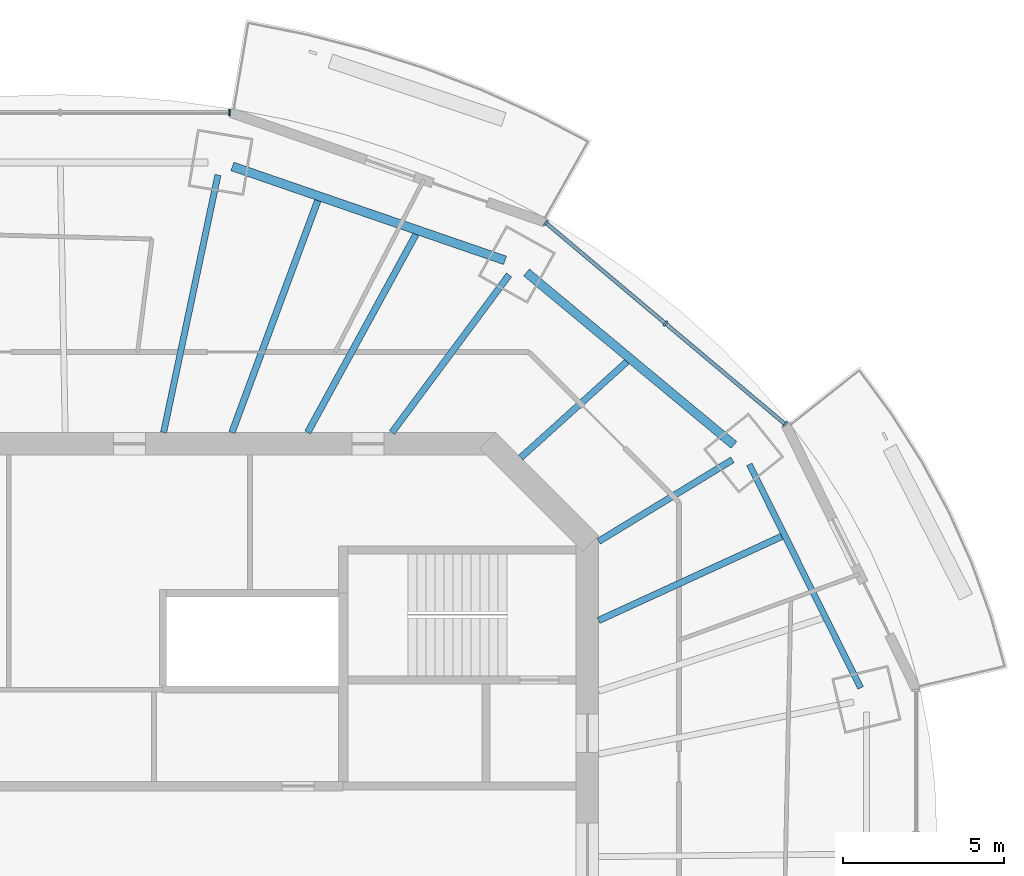
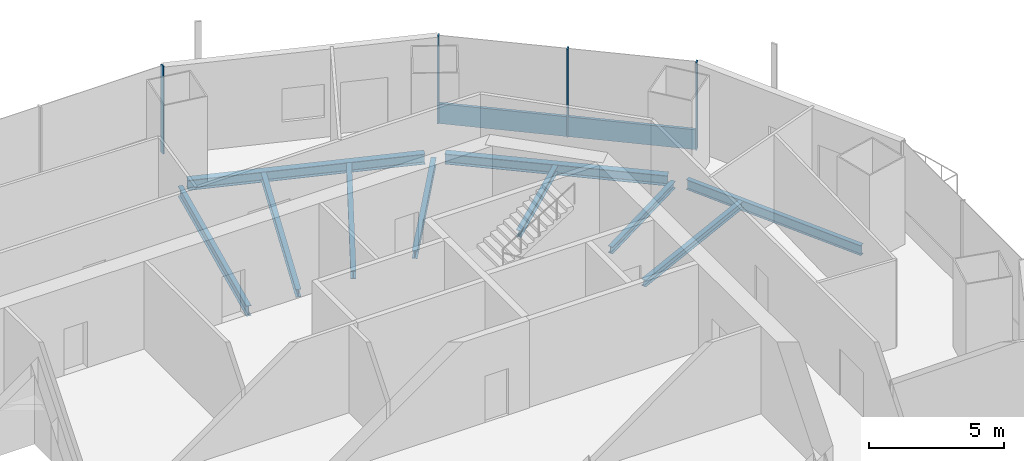
# One storey, part 6 of 16: 10 beams, 5 members, 2 elements without a shape of their own.
"""IFC4 building model written with IfcOpenShell, lengths in metres."""

import ifcopenshell
import ifcopenshell.guid

model = None  # the IFC model being written
_history = None  # IfcOwnerHistory: only IFC2X3 demands one
_inside = {}  # id of a spatial element -> (the spatial element, [elements in it])
_under = {}  # id of a project, library or spatial element -> (it, [spatial elements below it])
_declared = {}  # id of a project -> (the project, [libraries it declares])
_typed = {}  # id of a type object -> (the type object, [elements of that type])
_made_of = {}  # id of a material, layer set ... -> (it, [elements and type objects made of it])


def new_model(schema):
    """Start an empty IFC model of exactly this schema.

    Asked for "IFC4X3", IfcOpenShell would pick the latest addendum, in which some entities
    have other attributes; the version numbers below select the first issue.
    IFC2X3 requires an IfcOwnerHistory on every rooted entity: one is made here for all.
    """
    global model, _history
    if schema == "IFC4X3":
        model = ifcopenshell.file(schema_version=(4, 3, 0, 0))
    else:
        model = ifcopenshell.file(schema=schema)
    _inside.clear()
    _under.clear()
    _declared.clear()
    _typed.clear()
    _made_of.clear()
    _history = None
    if model.schema == "IFC2X3":
        org = make("IfcOrganization", Name="unknown")
        user = make(
            "IfcPersonAndOrganization",
            ThePerson=make("IfcPerson", FamilyName="unknown"),
            TheOrganization=org,
        )
        app = make(
            "IfcApplication",
            ApplicationDeveloper=org,
            Version="unknown",
            ApplicationFullName="unknown",
            ApplicationIdentifier="unknown",
        )
        _history = make(
            "IfcOwnerHistory",
            OwningUser=user,
            OwningApplication=app,
            ChangeAction="ADDED",
            CreationDate=0,
        )
    return model


def make(cls, **values):
    """One entity of the class cls with the attributes given. An attribute that is None is left unset."""
    return model.create_entity(
        cls, **{name: value for name, value in values.items() if value is not None}
    )


def rooted(cls, **values):
    """An entity with a GlobalId (a new one), such as an element, a storey or a relation."""
    return make(cls, GlobalId=ifcopenshell.guid.new(), OwnerHistory=_history, **values)


def si_unit(unit_type, name, prefix=None):
    """IfcSIUnit, for example si_unit("LENGTHUNIT", "METRE", prefix="MILLI")."""
    return make("IfcSIUnit", UnitType=unit_type, Prefix=prefix, Name=name)


def assignment(units):
    """IfcUnitAssignment: the units of a project."""
    return None if units is None else make("IfcUnitAssignment", Units=units)


def point(xyz):
    """IfcCartesianPoint."""
    return None if xyz is None else make("IfcCartesianPoint", Coordinates=xyz)


def direction(xyz):
    """IfcDirection."""
    return None if xyz is None else make("IfcDirection", DirectionRatios=xyz)


def frame(location, z_axis=None, x_axis=None):
    """IfcAxis2Placement3D, a coordinate frame: its origin and axes. An axis left out is left unset."""
    return make(
        "IfcAxis2Placement3D",
        Location=point(location),
        Axis=direction(z_axis),
        RefDirection=direction(x_axis),
    )


def frame_2d(location, x_axis=None):
    """IfcAxis2Placement2D, a coordinate frame in the plane: its origin and x axis."""
    return make(
        "IfcAxis2Placement2D", Location=point(location), RefDirection=direction(x_axis)
    )


def origin():
    """The frame at (0, 0, 0) with its axes left unset."""
    return frame((0.0, 0.0, 0.0))


def origin_2d():
    """The frame at (0, 0) in the plane with its x axis left unset."""
    return frame_2d((0.0, 0.0))


def place(relative_to, where):
    """IfcLocalPlacement: puts the frame where relative to a parent placement (None: the world)."""
    return make(
        "IfcLocalPlacement", PlacementRelTo=relative_to, RelativePlacement=where
    )


def context(
    kind, dimensions, precision=None, world=None, true_north=None, identifier=None
):
    """IfcGeometricRepresentationContext, for example the 3D "Model" context."""
    return make(
        "IfcGeometricRepresentationContext",
        ContextIdentifier=identifier,
        ContextType=kind,
        CoordinateSpaceDimension=dimensions,
        Precision=precision,
        WorldCoordinateSystem=world,
        TrueNorth=true_north,
    )


def subcontext(parent, identifier, kind, view, scale=None):
    """IfcGeometricRepresentationSubContext, for example "Body" below "Model"."""
    return make(
        "IfcGeometricRepresentationSubContext",
        ContextIdentifier=identifier,
        ContextType=kind,
        ParentContext=parent,
        TargetScale=scale,
        TargetView=view,
    )


def project(units=None, contexts=None):
    """IfcProject with its units and contexts."""
    return rooted(
        "IfcProject",
        Name="project",
        RepresentationContexts=contexts,
        UnitsInContext=assignment(units),
    )


def spatial(cls, under=None, at=None, **own):
    """A site, building, storey or space (cls), placed at a placement, below another one or the project."""
    s = rooted(cls, ObjectPlacement=at, **own)
    if under is not None:
        _under.setdefault(under.id(), (under, []))[1].append(s)
    return s


def profile(cls, at=None, kind="AREA", **sizes):
    """A parametric profile (cls). Its sizes go by their IFC names, for example OverallWidth=200.0."""
    return make(cls, ProfileType=kind, Position=at, **sizes)


def rectangle(**sizes):
    """IfcRectangleProfileDef."""
    return profile("IfcRectangleProfileDef", **sizes)


def i_section(**sizes):
    """IfcIShapeProfileDef."""
    return profile("IfcIShapeProfileDef", **sizes)


def extrude(swept, where, along, depth):
    """IfcExtrudedAreaSolid: the profile swept, set in the frame where, extruded along a direction by depth."""
    return make(
        "IfcExtrudedAreaSolid",
        SweptArea=swept,
        Position=where,
        ExtrudedDirection=direction(along),
        Depth=depth,
    )


def shape(context_of_items, identifier, shape_type, items):
    """IfcShapeRepresentation: the items that make up one representation, for example the "Body"."""
    return make(
        "IfcShapeRepresentation",
        ContextOfItems=context_of_items,
        RepresentationIdentifier=identifier,
        RepresentationType=shape_type,
        Items=items,
    )


def material(Name=None, Category=None):
    """IfcMaterial."""
    return make("IfcMaterial", Name=Name, Category=Category)


def material_profile(
    of_material, cross_section, Name=None, Category=None, Priority=None
):
    """IfcMaterialProfile: a cross section and its material."""
    return make(
        "IfcMaterialProfile",
        Name=Name,
        Material=of_material,
        Profile=cross_section,
        Priority=Priority,
        Category=Category,
    )


def profile_set(profiles, Name=None, composite=None):
    """IfcMaterialProfileSet."""
    return make(
        "IfcMaterialProfileSet",
        Name=Name,
        MaterialProfiles=profiles,
        CompositeProfile=composite,
    )


def made_of(thing, what):
    """Note that an element or type object is made of a material, layer set ...; save() writes the relation."""
    if what is not None:
        _made_of.setdefault(what.id(), (what, []))[1].append(thing)
    return thing


def type_object(cls, material=None, **own):
    """A type object (cls), such as IfcWallType, which elements share."""
    return made_of(rooted(cls, **own), material)


def element(
    cls,
    number,
    at=None,
    inside=None,
    cuts=None,
    type_object=None,
    material=None,
    context=None,
    identifier="Body",
    shape_type=None,
    held_by="IfcProductDefinitionShape",
    body=None,
    shapes=None,
    **own,
):
    """One element of the class cls, such as IfcWall. Its Tag is "e" and its number.

    at: its placement. inside: the storey or other place that contains it. cuts: it is an
    opening in that element (IfcRelVoidsElement). A single representation is given by context,
    identifier, shape_type and body (its items); several are given by shapes. held_by: the class
    of the entity that holds the representations. save() writes the other relations.
    """
    e = rooted(cls, Tag="e%d" % number, ObjectPlacement=at, **own)
    if body is not None:
        shapes = [shape(context, identifier, shape_type, body)]
    if shapes is not None:
        e.Representation = make(held_by, Representations=shapes)
    if inside is not None:
        _inside.setdefault(inside.id(), (inside, []))[1].append(e)
    if cuts is not None:
        rooted(
            "IfcRelVoidsElement", RelatingBuildingElement=cuts, RelatedOpeningElement=e
        )
    if type_object is not None:
        _typed.setdefault(type_object.id(), (type_object, []))[1].append(e)
    return made_of(e, material)


def aggregate(whole, parts):
    """IfcRelAggregates: a whole, such as a stair, and the parts it consists of."""
    return rooted("IfcRelAggregates", RelatingObject=whole, RelatedObjects=parts)


def save(model, path):
    """Write the relations noted so far, then the file.

    IfcRelAggregates (storeys below a building ...), IfcRelContainedInSpatialStructure (elements
    in a storey), IfcRelDefinesByType, IfcRelAssociatesMaterial and IfcRelDeclares: one each for
    every whole, place, type object, material and project.
    """
    for whole, parts in _under.values():
        aggregate(whole, parts)
    for where, things in _inside.values():
        rooted(
            "IfcRelContainedInSpatialStructure",
            RelatedElements=things,
            RelatingStructure=where,
        )
    for kind, things in _typed.values():
        rooted("IfcRelDefinesByType", RelatedObjects=things, RelatingType=kind)
    for what, things in _made_of.values():
        rooted("IfcRelAssociatesMaterial", RelatedObjects=things, RelatingMaterial=what)
    for by, libraries in _declared.values():
        rooted("IfcRelDeclares", RelatingContext=by, RelatedDefinitions=libraries)
    model.write(path)


model = new_model("IFC4")

# Units and contexts
model_context = context("Model", 3, precision=1e-05, world=origin(), true_north=direction((0.0, 1.0)))
body_context = subcontext(model_context, "Body", "Model", "MODEL_VIEW")
ifc_project = project(units=[si_unit("LENGTHUNIT", "METRE"), si_unit("AREAUNIT", "SQUARE_METRE"), si_unit("VOLUMEUNIT", "CUBIC_METRE"), si_unit("PLANEANGLEUNIT", "RADIAN"), si_unit("MASSUNIT", "GRAM", prefix="KILO")], contexts=[model_context])

# Site, building, storey
site_placement = place(None, origin())
site = spatial("IfcSite", under=ifc_project, at=site_placement, CompositionType="ELEMENT")
building_placement = place(site_placement, origin())
building = spatial("IfcBuilding", under=site, at=building_placement, Name="Marenthal Gate Tower", CompositionType="ELEMENT")
storey_placement = place(building_placement, frame((0.0, 0.0, 334.300048828125)))
storey = spatial("IfcBuildingStorey", under=building, at=storey_placement, Name="L75", CompositionType="ELEMENT", Elevation=334.300048828125)

# Curtain wall, members
ifc_material_1 = material(Name="Aluminium and glass", Category="aluminium")
curtain_wall_type = type_object("IfcCurtainWallType", Name="Curtain wall typical high", PredefinedType="NOTDEFINED", material=ifc_material_1)
curtain_wall_1_placement = place(storey_placement, origin())
curtain_wall_1 = element("IfcCurtainWall", 1, at=curtain_wall_1_placement, inside=storey, type_object=curtain_wall_type, Name="Curtain wall L75 bay 2", PredefinedType="NOTDEFINED")
ifc_material_2 = material(Name="Aluminium", Category="aluminium")
ifc_material_profile_1 = material_profile(ifc_material_2, rectangle(XDim=0.199951171875, YDim=0.06005859375, at=origin_2d()), Name="60x200 aluminium mullion")
ifc_profile_set_1 = profile_set([ifc_material_profile_1], Name="Aluminium")
member_type_1 = type_object("IfcMemberType", Name="Mullion 60x200 typical high", PredefinedType="MULLION", material=ifc_profile_set_1)
member_1_placement = place(storey_placement, frame((22.150634765625, 13.609619140625, 0.0), z_axis=(0.0, 0.0, 1.0), x_axis=(-0.643800653639, -0.765193255572, 0.0)))
member_1 = element("IfcMember", 2, at=member_1_placement, type_object=member_type_1, Name="Mullion L75 bay 2.1", PredefinedType="MULLION", context=body_context, shape_type="SweptSolid", body=[
    extrude(rectangle(XDim=0.199951171875, YDim=0.06005859375, at=origin_2d()), origin(), (0.0, 0.0, 1.0), 3.969970703125),
])
member_2_placement = place(storey_placement, frame((18.428466796875, 16.7412109375, 0.0), z_axis=(0.0, 0.0, 1.0), x_axis=(-0.643800653639, -0.765193255572, 0.0)))
member_2 = element("IfcMember", 3, at=member_2_placement, type_object=member_type_1, Name="Mullion L75 bay 2.2", PredefinedType="MULLION", context=body_context, shape_type="SweptSolid", body=[
    extrude(rectangle(XDim=0.199951171875, YDim=0.06005859375, at=origin_2d()), origin(), (0.0, 0.0, 1.0), 3.969970703125),
])
member_3_placement = place(storey_placement, frame((14.7060546875, 19.873046875, 0.0), z_axis=(0.0, 0.0, 1.0), x_axis=(-0.643800653639, -0.765193255572, 0.0)))
member_3 = element("IfcMember", 4, at=member_3_placement, type_object=member_type_1, Name="Mullion L75 bay 2.3", PredefinedType="MULLION", context=body_context, shape_type="SweptSolid", body=[
    extrude(rectangle(XDim=0.199951171875, YDim=0.06005859375, at=origin_2d()), origin(), (0.0, 0.0, 1.0), 3.969970703125),
])

# Curtain wall, member
curtain_wall_2_placement = place(storey_placement, origin())
curtain_wall_2 = element("IfcCurtainWall", 5, at=curtain_wall_2_placement, inside=storey, type_object=curtain_wall_type, Name="Curtain wall L75 bay 4", PredefinedType="NOTDEFINED")
member_4_placement = place(storey_placement, frame((4.866455078125, 23.302978515625, 0.0), z_axis=(0.0, 0.0, 1.0), x_axis=(0.0, -1.0, 0.0)))
member_4 = element("IfcMember", 6, at=member_4_placement, type_object=member_type_1, Name="Mullion L75 bay 4.1", PredefinedType="MULLION", context=body_context, shape_type="SweptSolid", body=[
    extrude(rectangle(XDim=0.199951171875, YDim=0.06005859375, at=origin_2d()), origin(), (0.0, 0.0, 1.0), 3.969970703125),
])
aggregate(curtain_wall_2, [member_4])

# Member
ifc_material_3 = material(Name="Aluminium", Category="aluminium")
ifc_material_profile_2 = material_profile(ifc_material_3, rectangle(XDim=0.1201171875, YDim=0.89990234375, at=origin_2d()), Name="120x900 aluminium transom")
ifc_profile_set_2 = profile_set([ifc_material_profile_2], Name="Aluminium")
member_type_2 = type_object("IfcMemberType", Name="Transom 120x900 typical high", PredefinedType="USERDEFINED", material=ifc_profile_set_2)
member_5_placement = place(storey_placement, frame((22.127685546875, 13.62890625, 0.449951171875), z_axis=(-0.765197260539, 0.643795893482, 0.0), x_axis=(-0.643795893482, -0.765197260539, 0.0)))
member_5 = element("IfcMember", 7, at=member_5_placement, type_object=member_type_2, Name="Transom L75 bay 2", ObjectType="TRANSOM", PredefinedType="USERDEFINED", context=body_context, shape_type="SweptSolid", body=[
    extrude(rectangle(XDim=0.1201171875, YDim=0.89990234375, at=origin_2d()), origin(), (0.0, 0.0, 1.0), 9.6689453125),
])

aggregate(curtain_wall_1, [member_1, member_2, member_3, member_5])

# Beams
ifc_material_4 = material(Name="Steel S355", Category="steel")
ifc_material_profile_3 = material_profile(ifc_material_4, i_section(OverallWidth=0.202880859375, OverallDepth=0.302001953125, WebThickness=0.007568359375, FlangeThickness=0.01318359375, FilletRadius=0.0126953125, at=origin_2d()), Name="W310X60")
ifc_profile_set_3 = profile_set([ifc_material_profile_3], Name="Steel S355")
beam_type_1 = type_object("IfcBeamType", Name="W310X60 beam", PredefinedType="BEAM", material=ifc_profile_set_3)
beam_1_placement = place(storey_placement, frame((17.22802734375, 15.55126953125, -0.3310546875), z_axis=(-0.742289268299, -0.670079578982, 0.0), x_axis=(0.670079578982, -0.742289268299, 0.0)))
element("IfcBeam", 8, at=beam_1_placement, inside=storey, type_object=beam_type_1, Name="BM-L75-19", PredefinedType="BEAM", context=body_context, shape_type="SweptSolid", body=[
    extrude(i_section(OverallWidth=0.202880859375, OverallDepth=0.302001953125, WebThickness=0.007568359375, FlangeThickness=0.01318359375, FilletRadius=0.0126953125, at=origin_2d()), origin(), (0.0, 0.0, 1.0), 4.449462890625),
])
ifc_material_5 = material(Name="Steel S355", Category="steel")
ifc_material_profile_4 = material_profile(ifc_material_5, i_section(OverallWidth=0.205078125, OverallDepth=0.31005859375, WebThickness=0.009521484375, FlangeThickness=0.016357421875, FilletRadius=0.0126953125, at=origin_2d()), Name="W310X74")
ifc_profile_set_4 = profile_set([ifc_material_profile_4], Name="Steel S355")
beam_type_2 = type_object("IfcBeamType", Name="W310X74 beam", PredefinedType="BEAM", material=ifc_profile_set_4)
beam_2_placement = place(storey_placement, frame((20.51171875, 12.50048828125, -0.3349609375), z_axis=(-0.853905317144, -0.520428390227, 0.0), x_axis=(0.520428390227, -0.853905317144, 0.0)))
element("IfcBeam", 9, at=beam_2_placement, inside=storey, type_object=beam_type_2, Name="BM-L75-02", PredefinedType="BEAM", context=body_context, shape_type="SweptSolid", body=[
    extrude(i_section(OverallWidth=0.205078125, OverallDepth=0.31005859375, WebThickness=0.009521484375, FlangeThickness=0.016357421875, FilletRadius=0.0126953125, at=origin_2d()), origin(), (0.0, 0.0, 1.0), 4.87353515625),
])
beam_3_placement = place(storey_placement, frame((22.045654296875, 10.117919921875, -0.3349609375), z_axis=(-0.908850126175, -0.417122821422, 0.0), x_axis=(0.417122821422, -0.908850126175, 0.0)))
element("IfcBeam", 10, at=beam_3_placement, inside=storey, type_object=beam_type_2, Name="BM-L75-18", PredefinedType="BEAM", context=body_context, shape_type="SweptSolid", body=[
    extrude(i_section(OverallWidth=0.205078125, OverallDepth=0.31005859375, WebThickness=0.009521484375, FlangeThickness=0.016357421875, FilletRadius=0.0126953125, at=origin_2d()), origin(), (0.0, 0.0, 1.0), 6.266845703125),
])
ifc_material_6 = material(Name="Steel S355", Category="steel")
ifc_material_profile_5 = material_profile(ifc_material_6, i_section(OverallWidth=0.205078125, OverallDepth=0.35302734375, WebThickness=0.009521484375, FlangeThickness=0.016845703125, FilletRadius=0.014892578125, at=origin_2d()), Name="W360X79")
ifc_profile_set_5 = profile_set([ifc_material_profile_5], Name="Steel S355")
beam_type_3 = type_object("IfcBeamType", Name="W360X79 beam", PredefinedType="BEAM", material=ifc_profile_set_5)
beam_4_placement = place(storey_placement, frame((13.56201171875, 18.251220703125, -0.3564453125), z_axis=(-0.596430737358, -0.802664547326, 0.0), x_axis=(0.802664547326, -0.596430737358, 0.0)))
element("IfcBeam", 11, at=beam_4_placement, inside=storey, type_object=beam_type_3, Name="BM-L75-03", PredefinedType="BEAM", context=body_context, shape_type="SweptSolid", body=[
    extrude(i_section(OverallWidth=0.205078125, OverallDepth=0.35302734375, WebThickness=0.009521484375, FlangeThickness=0.016845703125, FilletRadius=0.014892578125, at=origin_2d()), origin(), (0.0, 0.0, 1.0), 6.10595703125),
])
beam_5_placement = place(storey_placement, frame((10.665283203125, 19.5126953125, -0.3564453125), z_axis=(-0.479645925234, -0.877462128189, 0.0), x_axis=(0.877462128189, -0.479645925234, 0.0)))
element("IfcBeam", 12, at=beam_5_placement, inside=storey, type_object=beam_type_3, Name="BM-L75-20", PredefinedType="BEAM", context=body_context, shape_type="SweptSolid", body=[
    extrude(i_section(OverallWidth=0.205078125, OverallDepth=0.35302734375, WebThickness=0.009521484375, FlangeThickness=0.016845703125, FilletRadius=0.014892578125, at=origin_2d()), origin(), (0.0, 0.0, 1.0), 7.023193359375),
])
beam_6_placement = place(storey_placement, frame((7.6123046875, 20.564453125, -0.3564453125), z_axis=(-0.347162407935, -0.937805023721, 0.0), x_axis=(0.937805023721, -0.347162407935, 0.0)))
element("IfcBeam", 13, at=beam_6_placement, inside=storey, type_object=beam_type_3, Name="BM-L75-21", PredefinedType="BEAM", context=body_context, shape_type="SweptSolid", body=[
    extrude(i_section(OverallWidth=0.205078125, OverallDepth=0.35302734375, WebThickness=0.009521484375, FlangeThickness=0.016845703125, FilletRadius=0.014892578125, at=origin_2d()), origin(), (0.0, 0.0, 1.0), 7.69287109375),
])
ifc_material_7 = material(Name="Steel S355", Category="steel")
ifc_material_profile_6 = material_profile(ifc_material_7, i_section(OverallWidth=0.279052734375, OverallDepth=0.4619140625, WebThickness=0.0107421875, FlangeThickness=0.017333984375, FilletRadius=0.010009765625, at=origin_2d()), Name="W460X113")
ifc_profile_set_6 = profile_set([ifc_material_profile_6], Name="Steel S355")
beam_type_4 = type_object("IfcBeamType", Name="W460X113 beam", PredefinedType="BEAM", material=ifc_profile_set_6)
beam_7_placement = place(storey_placement, frame((20.5576171875, 12.963623046875, -0.4111328125), z_axis=(-0.768871924269, 0.639402818317, 0.0), x_axis=(-0.639402818317, -0.768871924269, 0.0)))
element("IfcBeam", 14, at=beam_7_placement, inside=storey, type_object=beam_type_4, Name="BM-L75-42", PredefinedType="BEAM", context=body_context, shape_type="SweptSolid", body=[
    extrude(i_section(OverallWidth=0.279052734375, OverallDepth=0.4619140625, WebThickness=0.0107421875, FlangeThickness=0.017333984375, FilletRadius=0.010009765625, at=origin_2d()), origin(), (0.0, 0.0, 1.0), 8.391357421875),
])
beam_8_placement = place(storey_placement, frame((13.43798828125, 18.705322265625, -0.4111328125), z_axis=(-0.945490896915, 0.325648528096, 0.0), x_axis=(-0.325648528096, -0.945490896915, 0.0)))
element("IfcBeam", 15, at=beam_8_placement, inside=storey, type_object=beam_type_4, Name="BM-L75-43", PredefinedType="BEAM", context=body_context, shape_type="SweptSolid", body=[
    extrude(i_section(OverallWidth=0.279052734375, OverallDepth=0.4619140625, WebThickness=0.0107421875, FlangeThickness=0.017333984375, FilletRadius=0.010009765625, at=origin_2d()), origin(), (0.0, 0.0, 1.0), 8.972412109375),
])
ifc_material_8 = material(Name="Steel S355", Category="steel")
ifc_material_profile_7 = material_profile(ifc_material_8, i_section(OverallWidth=0.19091796875, OverallDepth=0.45703125, WebThickness=0.009033203125, FlangeThickness=0.014404296875, FilletRadius=0.01025390625, at=origin_2d()), Name="W460X74")
ifc_profile_set_7 = profile_set([ifc_material_profile_7], Name="Steel S355")
beam_type_5 = type_object("IfcBeamType", Name="W460X74 beam", PredefinedType="BEAM", material=ifc_profile_set_7)
beam_9_placement = place(storey_placement, frame((24.500244140625, 5.404296875, -0.408447265625), z_axis=(-0.445880705054, 0.895092395712, 0.0), x_axis=(-0.895092395712, -0.445880705054, 0.0)))
element("IfcBeam", 16, at=beam_9_placement, inside=storey, type_object=beam_type_5, Name="BM-L75-41", PredefinedType="BEAM", context=body_context, shape_type="SweptSolid", body=[
    extrude(i_section(OverallWidth=0.19091796875, OverallDepth=0.45703125, WebThickness=0.009033203125, FlangeThickness=0.014404296875, FilletRadius=0.01025390625, at=origin_2d()), origin(), (0.0, 0.0, 1.0), 7.76904296875),
])
ifc_material_9 = material(Name="Steel S355", Category="steel")
ifc_material_profile_8 = material_profile(ifc_material_9, i_section(OverallWidth=0.193115234375, OverallDepth=0.467041015625, WebThickness=0.011474609375, FlangeThickness=0.01904296875, FilletRadius=0.010009765625, at=origin_2d()), Name="W460X97")
ifc_profile_set_8 = profile_set([ifc_material_profile_8], Name="Steel S355")
beam_type_6 = type_object("IfcBeamType", Name="W460X97 beam", PredefinedType="BEAM", material=ifc_profile_set_8)
beam_10_placement = place(storey_placement, frame((4.505615234375, 21.361083984375, -0.41357421875), z_axis=(-0.206381669226, -0.978471566581, 0.0), x_axis=(0.978471566581, -0.206381669226, 0.0)))
element("IfcBeam", 17, at=beam_10_placement, inside=storey, type_object=beam_type_6, Name="BM-L75-04", PredefinedType="BEAM", context=body_context, shape_type="SweptSolid", body=[
    extrude(i_section(OverallWidth=0.193115234375, OverallDepth=0.467041015625, WebThickness=0.011474609375, FlangeThickness=0.01904296875, FilletRadius=0.010009765625, at=origin_2d()), origin(), (0.0, 0.0, 1.0), 8.187255859375),
])

save(model, "model.ifc")
